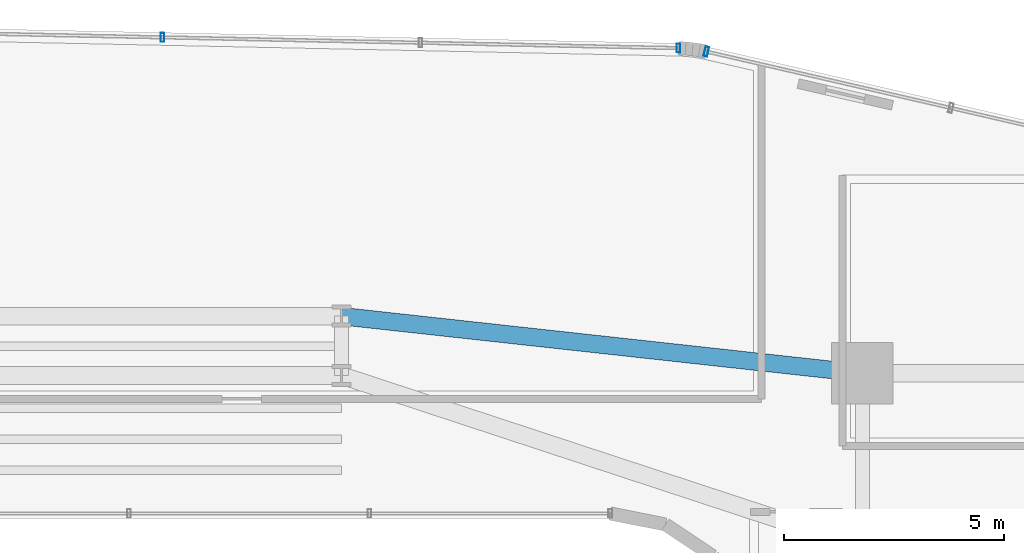
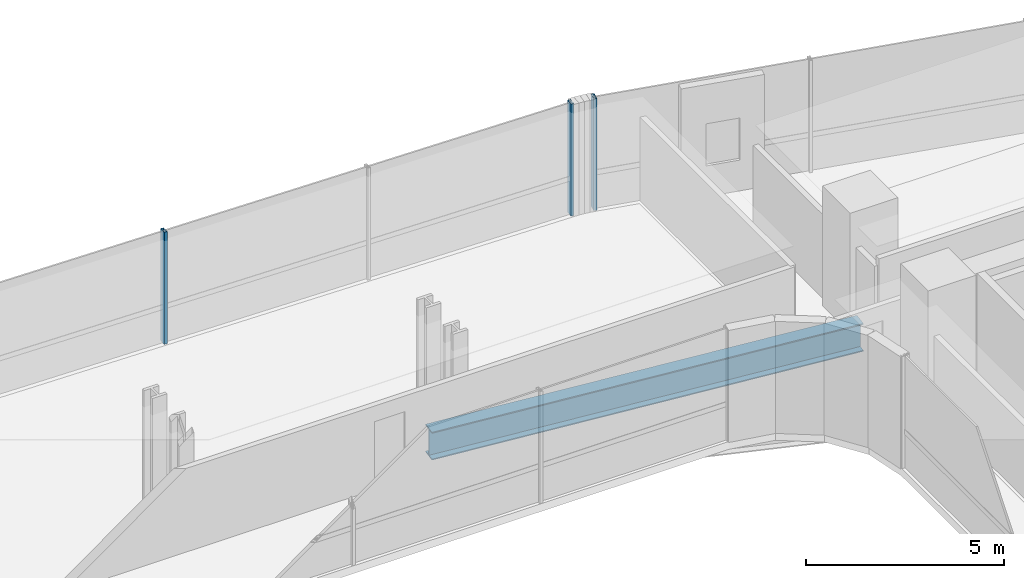
# One storey, part 21 of 39: 3 members, 1 beam, 2 elements without a shape of their own.
"""IFC4 building model written with IfcOpenShell, lengths in metres."""

from ifc_helpers import new_model, si_unit, direction, frame, origin, origin_2d, place, context, subcontext, project, spatial, hollow_rectangle, i_section, extrude, source, transform, mapped, material, material_profile, profile_set, type_object, element, aggregate, save


model = new_model("IFC4")

# Units and contexts
model_context = context("Model", 3, precision=1e-05, world=origin(), true_north=direction((0.0, 1.0)))
body_context = subcontext(model_context, "Body", "Model", "MODEL_VIEW")
ifc_project = project(units=[si_unit("LENGTHUNIT", "METRE"), si_unit("AREAUNIT", "SQUARE_METRE"), si_unit("VOLUMEUNIT", "CUBIC_METRE"), si_unit("PLANEANGLEUNIT", "RADIAN"), si_unit("MASSUNIT", "GRAM", prefix="KILO")], contexts=[model_context])

# Site, building, storey
site_placement = place(None, origin())
site = spatial("IfcSite", under=ifc_project, at=site_placement, CompositionType="ELEMENT")
building_placement = place(site_placement, origin())
building = spatial("IfcBuilding", under=site, at=building_placement, Name="Valdorenza Pilgrim Sanctuary Tower", CompositionType="ELEMENT")
storey_placement = place(building_placement, frame((0.0, 0.0, 74.10009765625)))
storey = spatial("IfcBuildingStorey", under=building, at=storey_placement, Name="L18", CompositionType="ELEMENT", Elevation=74.10009765625)

# Beam
ifc_material_1 = material(Name="Steel ASTM A992 Grade 50", Category="steel")
ifc_material_profile_1 = material_profile(ifc_material_1, i_section(OverallWidth=0.39990234375, OverallDepth=0.862060546875, WebThickness=0.019775390625, FlangeThickness=0.032470703125, at=origin_2d()), Name="W33X221")
ifc_profile_set_1 = profile_set([ifc_material_profile_1], Name="Steel ASTM A992 Grade 50")
beam_type = type_object("IfcBeamType", Name="STR-BM-GRD-W33", PredefinedType="BEAM", material=ifc_profile_set_1)
shared_shape_1 = source(origin(), body_context, "Body", "SweptSolid", [
    extrude(i_section(OverallWidth=0.39990234375, OverallDepth=0.862060546875, WebThickness=0.019775390625, FlangeThickness=0.032470703125, at=origin_2d()), origin(), (0.0, 0.0, 1.0), 11.921142578125),
])
beam_placement = place(storey_placement, frame((4.0, 14.800048828125, -0.671142578125), z_axis=(0.994035876607, -0.10905354656, 0.0), x_axis=(0.10905354656, 0.994035876607, 0.0)))
element("IfcBeam", 1, at=beam_placement, inside=storey, type_object=beam_type, Name="L18 Floor Girder KNK-G6", PredefinedType="BEAM", context=body_context, shape_type="MappedRepresentation", body=[
    mapped(shared_shape_1, transform((0.0, 0.0, 0.0), x_axis=(1.0, 0.0, 0.0), y_axis=(0.0, 1.0, 0.0), z_axis=(0.0, 0.0, 1.0), scale=1.0)),
])

# Curtain wall, members
ifc_material_2 = material(Name="Curtain-wall IGU glazing", Category="glass")
curtain_wall_type_1 = type_object("IfcCurtainWallType", Name="CW-SYS-02", PredefinedType="NOTDEFINED", material=ifc_material_2)
curtain_wall_1_placement = place(storey_placement, origin())
curtain_wall_1 = element("IfcCurtainWall", 2, at=curtain_wall_1_placement, inside=storey, type_object=curtain_wall_type_1, Name="L18 Curtain Wall CW-L18-1-11", PredefinedType="NOTDEFINED")
ifc_material_3 = material(Name="Anodised aluminium AW-6060", Category="aluminium")
ifc_material_profile_2 = material_profile(ifc_material_3, hollow_rectangle(XDim=0.0849609375, YDim=0.199951171875, WallThickness=0.0048828125, at=origin_2d()), Name="ALU-M 200x85x5")
ifc_profile_set_2 = profile_set([ifc_material_profile_2], Name="Anodised aluminium AW-6060")
member_type_1 = type_object("IfcMemberType", Name="CW-MUL-02", PredefinedType="MULLION", material=ifc_profile_set_2)
shared_shape_2 = source(origin(), body_context, "Body", "SweptSolid", [
    extrude(hollow_rectangle(XDim=0.0849609375, YDim=0.199951171875, WallThickness=0.0048828125, at=origin_2d()), origin(), (0.0, 0.0, 1.0), 3.4599609375),
])
member_1_placement = place(storey_placement, frame((-0.0712890625, 21.1416015625, 0.0), z_axis=(0.0, 0.0, 1.0), x_axis=(0.999783234613, -0.020820273474, 0.0)))
member_1 = element("IfcMember", 3, at=member_1_placement, type_object=member_type_1, Name="CW-L18-1-11 Mullion 3", PredefinedType="MULLION", context=body_context, shape_type="MappedRepresentation", body=[
    mapped(shared_shape_2, transform((0.0, 0.0, 0.0), x_axis=(1.0, 0.0, 0.0), y_axis=(0.0, 1.0, 0.0), z_axis=(0.0, 0.0, 1.0), scale=1.0)),
])
member_2_placement = place(storey_placement, frame((11.665771484375, 20.89697265625, 0.0), z_axis=(0.0, 0.0, 1.0), x_axis=(0.999783234613, -0.020820273474, 0.0)))
member_2 = element("IfcMember", 4, at=member_2_placement, type_object=member_type_1, Name="CW-L18-1-11 Mullion 5", PredefinedType="MULLION", context=body_context, shape_type="MappedRepresentation", body=[
    mapped(shared_shape_2, transform((0.0, 0.0, 0.0), x_axis=(1.0, 0.0, 0.0), y_axis=(0.0, 1.0, 0.0), z_axis=(0.0, 0.0, 1.0), scale=1.0)),
])
aggregate(curtain_wall_1, [member_1, member_2])

# Curtain wall, member
curtain_wall_type_2 = type_object("IfcCurtainWallType", Name="CW-SYS-03", PredefinedType="NOTDEFINED", material=ifc_material_2)
curtain_wall_2_placement = place(storey_placement, origin())
curtain_wall_2 = element("IfcCurtainWall", 5, at=curtain_wall_2_placement, inside=storey, type_object=curtain_wall_type_2, Name="L18 Curtain Wall CW-L18-1-16", PredefinedType="NOTDEFINED")
ifc_material_profile_3 = material_profile(ifc_material_3, hollow_rectangle(XDim=0.0849609375, YDim=0.219970703125, WallThickness=0.0048828125, at=origin_2d()), Name="ALU-M 220x85x5")
ifc_profile_set_3 = profile_set([ifc_material_profile_3], Name="Anodised aluminium AW-6060")
member_type_2 = type_object("IfcMemberType", Name="CW-MUL-03", PredefinedType="MULLION", material=ifc_profile_set_3)
shared_shape_3 = source(origin(), body_context, "Body", "SweptSolid", [
    extrude(hollow_rectangle(XDim=0.0849609375, YDim=0.219970703125, WallThickness=0.0048828125, at=origin_2d()), origin(), (0.0, 0.0, 1.0), 3.4599609375),
])
member_3_placement = place(storey_placement, frame((12.299072265625, 20.818115234375, 0.0), z_axis=(0.0, 0.0, 1.0), x_axis=(0.974389691758, -0.224866023659, 0.0)))
member_3 = element("IfcMember", 6, at=member_3_placement, type_object=member_type_2, Name="CW-L18-1-16 Mullion 1", PredefinedType="MULLION", context=body_context, shape_type="MappedRepresentation", body=[
    mapped(shared_shape_3, transform((0.0, 0.0, 0.0), x_axis=(1.0, 0.0, 0.0), y_axis=(0.0, 1.0, 0.0), z_axis=(0.0, 0.0, 1.0), scale=1.0)),
])
aggregate(curtain_wall_2, [member_3])

save(model, "model.ifc")
